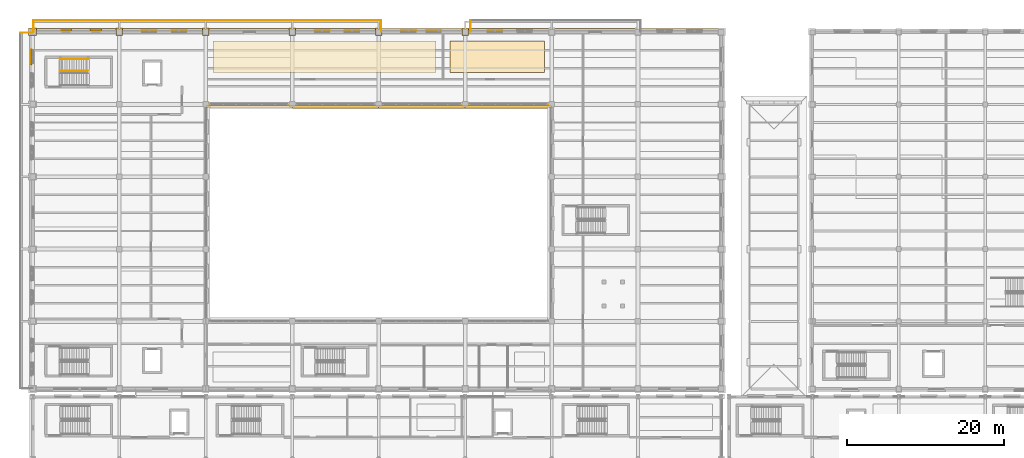
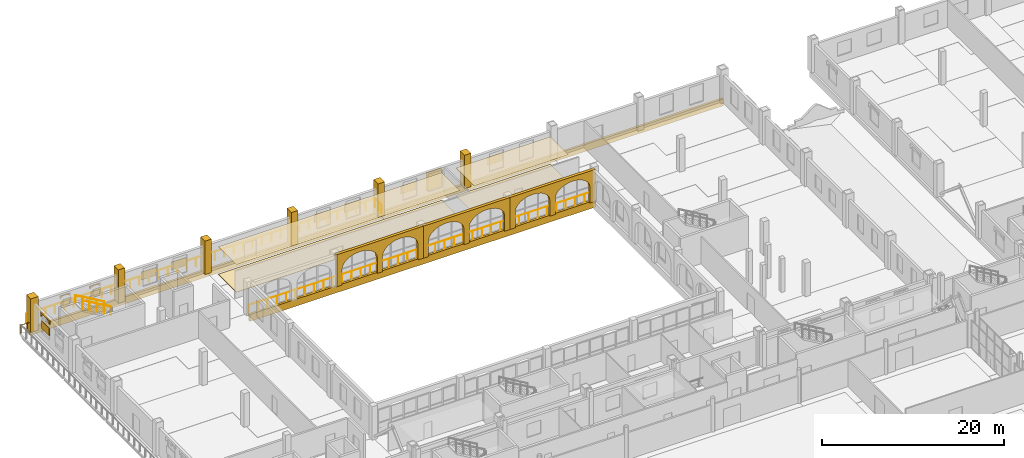
# One storey, part 141 of 156: 18 coverings, 10 shading devices, 8 railings.
"""IFC4 building model written with IfcOpenShell, lengths in metres."""

from ifc_helpers import new_model, si_unit, direction, frame, frame_2d, origin, origin_2d, place, context, subcontext, project, spatial, polyline, rectangle, circle, outline, extrude, material, layer, layer_set, type_object, element, save


model = new_model("IFC4")

# Units and contexts
model_context = context("Model", 3, precision=1e-05, world=origin(), true_north=direction((0.0, 1.0)))
body_context = subcontext(model_context, "Body", "Model", "MODEL_VIEW")
ifc_project = project(units=[si_unit("LENGTHUNIT", "METRE"), si_unit("AREAUNIT", "SQUARE_METRE"), si_unit("VOLUMEUNIT", "CUBIC_METRE"), si_unit("PLANEANGLEUNIT", "RADIAN"), si_unit("MASSUNIT", "GRAM", prefix="KILO")], contexts=[model_context])

# Site, building, storey
site_placement = place(None, origin())
site = spatial("IfcSite", under=ifc_project, at=site_placement, CompositionType="ELEMENT")
building_placement = place(site_placement, origin())
building = spatial("IfcBuilding", under=site, at=building_placement, Name="Caurita Quay Ferry Terminal", CompositionType="ELEMENT")
storey_placement = place(building_placement, frame((0.0, 0.0, 5.39990234375)))
storey = spatial("IfcBuildingStorey", under=building, at=storey_placement, Name="L01", CompositionType="ELEMENT", Elevation=5.39990234375)

# Coverings
ifc_material_1 = material(Name="Warm-white lime stucco masonry", Category="masonry")
ifc_layer_1 = layer(ifc_material_1, 0.360107421875, Name="Spanish Colonial semicircular lime-stucco portales arcade 360 mm")
ifc_layer_set_1 = layer_set([ifc_layer_1], Name="Warm-white lime stucco masonry")
covering_type_1 = type_object("IfcCoveringType", Name="COV-ARC-CLD", PredefinedType="CLADDING", material=ifc_layer_set_1)
for number, where, z_axis, x_axis, name in (
    (1, (44.0, 107.47998046875, 0.0), (0.0, 0.0, 1.0), (-1.0, 0.0, 0.0), "L01 Courtyard North Cloister Arcade 056"),
    (2, (55.0, 107.47998046875, 0.0), (0.0, 0.0, 1.0), (-1.0, 0.0, 0.0), "L01 Courtyard North Cloister Arcade 058"),
):
    element("IfcCovering", number, at=place(storey_placement, frame(where, z_axis=z_axis, x_axis=x_axis)), inside=storey, type_object=covering_type_1, Name=name, PredefinedType="CLADDING", context=body_context, shape_type="SweptSolid", body=[
        extrude(outline(polyline([(0.0, 0.0), (0.679931640625, 0.0), (0.679931640625, 2.14990234375), (0.75634765625, 2.55126953125), (0.980224609375, 2.925048828125), (1.336181640625, 3.24609375), (1.800048828125, 3.492431640625), (2.34033203125, 3.647216796875), (2.919921875, 3.699951171875), (3.499755859375, 3.647216796875), (4.0400390625, 3.492431640625), (4.50390625, 3.24609375), (4.85986328125, 2.925048828125), (5.083740234375, 2.55126953125), (5.159912109375, 2.14990234375), (5.159912109375, 0.0), (5.840087890625, 0.0), (5.840087890625, 2.14990234375), (5.916259765625, 2.55126953125), (6.14013671875, 2.925048828125), (6.49609375, 3.24609375), (6.9599609375, 3.492431640625), (7.500244140625, 3.647216796875), (8.080078125, 3.699951171875), (8.65966796875, 3.647216796875), (9.199951171875, 3.492431640625), (9.663818359375, 3.24609375), (10.019775390625, 2.925048828125), (10.24365234375, 2.55126953125), (10.320068359375, 2.14990234375), (10.320068359375, 0.0), (11.0, 0.0), (11.0, 4.300048828125), (0.0, 4.300048828125), (0.0, 0.0)])), frame((0.0, 0.18017578125, 0.0), z_axis=(0.0, -1.0, 0.0), x_axis=(1.0, 0.0, 0.0)), (0.0, 0.0, 1.0), 0.360107421875),
    ])
covering_1_placement = place(storey_placement, frame((65.85009765625, 107.47998046875, 0.0), z_axis=(0.0, 0.0, 1.0), x_axis=(-1.0, 0.0, 0.0)))
element("IfcCovering", 3, at=covering_1_placement, inside=storey, type_object=covering_type_1, Name="L01 Courtyard North Cloister Arcade 060", PredefinedType="CLADDING", context=body_context, shape_type="SweptSolid", body=[
    extrude(outline(polyline([(0.0, 0.0), (0.679931640625, 0.0), (0.679931640625, 2.14990234375), (0.755126953125, 2.55126953125), (0.97509765625, 2.925048828125), (1.3251953125, 3.24609375), (1.78125, 3.492431640625), (2.3125, 3.647216796875), (2.882568359375, 3.699951171875), (3.45263671875, 3.647216796875), (3.98388671875, 3.492431640625), (4.43994140625, 3.24609375), (4.7900390625, 2.925048828125), (5.010009765625, 2.55126953125), (5.0849609375, 2.14990234375), (5.0849609375, 0.0), (5.76513671875, 0.0), (5.76513671875, 2.14990234375), (5.840087890625, 2.55126953125), (6.06005859375, 2.925048828125), (6.41015625, 3.24609375), (6.8662109375, 3.492431640625), (7.3974609375, 3.647216796875), (7.967529296875, 3.699951171875), (8.53759765625, 3.647216796875), (9.06884765625, 3.492431640625), (9.52490234375, 3.24609375), (9.875, 2.925048828125), (10.094970703125, 2.55126953125), (10.170166015625, 2.14990234375), (10.170166015625, 0.0), (10.85009765625, 0.0), (10.85009765625, 4.300048828125), (0.0, 4.300048828125), (0.0, 0.0)])), frame((0.0, 0.18017578125, 0.0), z_axis=(0.0, -1.0, 0.0), x_axis=(1.0, 0.0, 0.0)), (0.0, 0.0, 1.0), 0.360107421875),
])
ifc_material_2 = material(Name="Acoustic mineral fibre tile", Category="finish")
ifc_layer_2 = layer(ifc_material_2, 0.02001953125, Name="Acoustic mineral-fibre suspended ceiling 20 mm")
ifc_layer_set_2 = layer_set([ifc_layer_2], Name="Acoustic mineral fibre tile")
covering_type_2 = type_object("IfcCoveringType", Name="COV-CEIL-020", PredefinedType="CEILING", material=ifc_layer_set_2)
covering_2_placement = place(storey_placement, frame((0.0, 0.0, 3.712158203125)))
element("IfcCovering", 4, at=covering_2_placement, inside=storey, type_object=covering_type_2, Name="Inter-Island Ferry Operator Retail Shop Acoustic Ceiling", PredefinedType="CEILING", context=body_context, shape_type="SweptSolid", body=[
    extrude(outline(polyline([(22.89990234375, 111.89990234375), (51.300048828125, 111.89990234375), (51.300048828125, 115.89990234375), (22.89990234375, 115.89990234375), (22.89990234375, 111.89990234375)])), origin(), (0.0, 0.0, 1.0), 0.02001953125),
])
covering_3_placement = place(storey_placement, frame((0.0, 0.0, 3.712158203125)))
element("IfcCovering", 5, at=covering_3_placement, inside=storey, type_object=covering_type_2, Name="Port Medical and First Aid Clinic Acoustic Ceiling", PredefinedType="CEILING", context=body_context, shape_type="SweptSolid", body=[
    extrude(outline(polyline([(53.10009765625, 111.89990234375), (65.10009765625, 111.89990234375), (65.10009765625, 115.89990234375), (53.10009765625, 115.89990234375), (53.10009765625, 111.89990234375)])), origin(), (0.0, 0.0, 1.0), 0.02001953125),
])
ifc_material_3 = material(Name="Coral stone ashlar cladding", Category="masonry")
ifc_layer_3 = layer(ifc_material_3, 0.239990234375, Name="Classical coral-stone entablature and cornice moulding 240 mm")
ifc_layer_set_3 = layer_set([ifc_layer_3], Name="Coral stone ashlar cladding")
covering_type_3 = type_object("IfcCoveringType", Name="COV-ENT-MLD", PredefinedType="MOLDING", material=ifc_layer_set_3)
covering_4_placement = place(storey_placement, frame((87.85009765625, 117.320068359375, -0.849853515625), z_axis=(0.0, 0.0, 1.0), x_axis=(-1.0, 0.0, 0.0)))
element("IfcCovering", 6, at=covering_4_placement, inside=storey, type_object=covering_type_3, Name="L01 Classical Entablature Cornice 001", PredefinedType="MOLDING", context=body_context, shape_type="SweptSolid", body=[
    extrude(rectangle(XDim=88.170166015625, YDim=0.280029296875, at=frame_2d((44.0849609375, 0.0))), origin(), (0.0, 0.0, 1.0), 0.929931640625),
])
covering_5_placement = place(storey_placement, frame((66.0, 107.52001953125, -0.849853515625), z_axis=(0.0, 0.0, 1.0), x_axis=(-1.0, 0.0, 0.0)))
element("IfcCovering", 7, at=covering_5_placement, inside=storey, type_object=covering_type_3, Name="L01 Classical Entablature Cornice 020", PredefinedType="MOLDING", context=body_context, shape_type="SweptSolid", body=[
    extrude(rectangle(XDim=44.0, YDim=0.280029296875, at=frame_2d((22.0, 0.0))), origin(), (0.0, 0.0, 1.0), 0.929931640625),
])
ifc_material_4 = material(Name="Polished marine terrazzo tile", Category="finish")
ifc_layer_4 = layer(ifc_material_4, 0.02490234375, Name="Polished marine terrazzo floor finish 25 mm")
ifc_layer_set_4 = layer_set([ifc_layer_4], Name="Polished marine terrazzo tile")
covering_type_4 = type_object("IfcCoveringType", Name="COV-FLR-025", PredefinedType="FLOORING", material=ifc_layer_set_4)
covering_6_placement = place(storey_placement, origin())
element("IfcCovering", 8, at=covering_6_placement, inside=storey, type_object=covering_type_4, Name="Inter-Island Ferry Operator Retail Shop Terrazzo Flooring", PredefinedType="FLOORING", context=body_context, shape_type="SweptSolid", body=[
    extrude(outline(polyline([(22.89990234375, 111.89990234375), (51.300048828125, 111.89990234375), (51.300048828125, 115.89990234375), (22.89990234375, 115.89990234375), (22.89990234375, 111.89990234375)])), origin(), (0.0, 0.0, 1.0), 0.025146484375),
])
covering_7_placement = place(storey_placement, origin())
element("IfcCovering", 9, at=covering_7_placement, inside=storey, type_object=covering_type_4, Name="Port Medical and First Aid Clinic Terrazzo Flooring", PredefinedType="FLOORING", context=body_context, shape_type="SweptSolid", body=[
    extrude(outline(polyline([(53.10009765625, 111.89990234375), (65.10009765625, 111.89990234375), (65.10009765625, 115.89990234375), (53.10009765625, 115.89990234375), (53.10009765625, 111.89990234375)])), origin(), (0.0, 0.0, 1.0), 0.025146484375),
])
ifc_layer_5 = layer(ifc_material_1, 0.179931640625, Name="Classical engaged lime-stucco facade pilaster cladding 180 mm")
ifc_layer_set_5 = layer_set([ifc_layer_5], Name="Warm-white lime stucco masonry")
covering_type_5 = type_object("IfcCoveringType", Name="COV-PIL-CLD", PredefinedType="CLADDING", material=ifc_layer_set_5)
covering_8_placement = place(storey_placement, frame((-0.050048828125, 117.050048828125, 0.0), z_axis=(0.0, 0.0, 1.0), x_axis=(1.0, 0.0, 0.0)))
element("IfcCovering", 10, at=covering_8_placement, inside=storey, type_object=covering_type_5, Name="L01 Classical Engaged Pilaster 0292", PredefinedType="CLADDING", context=body_context, shape_type="SweptSolid", body=[
    extrude(rectangle(XDim=0.97998046875, YDim=0.97998046875, at=origin_2d()), origin(), (0.0, 0.0, 1.0), 4.5),
])
for number, where, z_axis, x_axis, name in (
    (11, (11.0, 117.050048828125, 0.0), (0.0, 0.0, 1.0), (1.0, 0.0, 0.0), "L01 Classical Engaged Pilaster 0302"),
    (12, (22.0, 117.050048828125, 0.0), (0.0, 0.0, 1.0), (1.0, 0.0, 0.0), "L01 Classical Engaged Pilaster 0324"),
    (13, (33.0, 117.050048828125, 0.0), (0.0, 0.0, 1.0), (1.0, 0.0, 0.0), "L01 Classical Engaged Pilaster 0339"),
    (14, (44.0, 117.050048828125, 0.0), (0.0, 0.0, 1.0), (1.0, 0.0, 0.0), "L01 Classical Engaged Pilaster 0353"),
    (15, (55.0, 117.050048828125, 0.0), (0.0, 0.0, 1.0), (1.0, 0.0, 0.0), "L01 Classical Engaged Pilaster 0365"),
):
    element("IfcCovering", number, at=place(storey_placement, frame(where, z_axis=z_axis, x_axis=x_axis)), inside=storey, type_object=covering_type_5, Name=name, PredefinedType="CLADDING", context=body_context, shape_type="SweptSolid", body=[
        extrude(rectangle(XDim=0.820068359375, YDim=0.97998046875, at=origin_2d()), origin(), (0.0, 0.0, 1.0), 4.5),
    ])
ifc_layer_6 = layer(ifc_material_3, 0.139892578125, Name="Spanish Colonial semicircular arched window surround 140 mm")
ifc_layer_set_6 = layer_set([ifc_layer_6], Name="Coral stone ashlar cladding")
covering_type_6 = type_object("IfcCoveringType", Name="COV-WHD-MLD", PredefinedType="MOLDING", material=ifc_layer_set_6)
for number, where, z_axis, x_axis, name in (
    (16, (8.679931640625, 117.22998046875, 2.72998046875), (0.0, 0.0, 1.0), (-1.0, 0.0, 0.0), "L01 Arched Window Surround 009"),
    (17, (4.8798828125, 117.22998046875, 2.72998046875), (0.0, 0.0, 1.0), (-1.0, 0.0, 0.0), "L01 Arched Window Surround 010"),
):
    element("IfcCovering", number, at=place(storey_placement, frame(where, z_axis=z_axis, x_axis=x_axis)), inside=storey, type_object=covering_type_6, Name=name, PredefinedType="MOLDING", context=body_context, shape_type="SweptSolid", body=[
        extrude(outline(polyline([(0.0, 0.0), (0.159912109375, 0.0), (0.159912109375, 0.0400390625), (0.185546875, 0.101806640625), (0.25927734375, 0.157470703125), (0.374267578125, 0.201904296875), (0.519287109375, 0.230224609375), (0.679931640625, 0.239990234375), (0.840576171875, 0.230224609375), (0.985595703125, 0.201904296875), (1.1005859375, 0.157470703125), (1.17431640625, 0.101806640625), (1.199951171875, 0.0400390625), (1.199951171875, 0.0), (1.35986328125, 0.0), (1.35986328125, 0.320068359375), (0.0, 0.320068359375), (0.0, 0.0)])), frame((0.0, 0.06982421875, 0.0), z_axis=(0.0, -1.0, 0.0), x_axis=(1.0, 0.0, 0.0)), (0.0, 0.0, 1.0), 0.139892578125),
    ])
covering_9_placement = place(storey_placement, frame((-0.22998046875, 114.8798828125, 3.18017578125), z_axis=(0.0, 0.0, 1.0), x_axis=(0.0, -1.0, 0.0)))
element("IfcCovering", 18, at=covering_9_placement, inside=storey, type_object=covering_type_6, Name="L01 Arched Window Surround 038", PredefinedType="MOLDING", context=body_context, shape_type="SweptSolid", body=[
    extrude(outline(polyline([(0.0, 0.0), (0.159912109375, 0.0), (0.159912109375, 0.0400390625), (0.201416015625, 0.1650390625), (0.3212890625, 0.278076171875), (0.50830078125, 0.36767578125), (0.743896484375, 0.42529296875), (1.0048828125, 0.445068359375), (1.265869140625, 0.42529296875), (1.50146484375, 0.36767578125), (1.6884765625, 0.278076171875), (1.808349609375, 0.1650390625), (1.849853515625, 0.0400390625), (1.849853515625, 0.0), (2.009765625, 0.0), (2.009765625, 0.52490234375), (0.0, 0.52490234375), (0.0, 0.0)])), frame((0.0, 0.06982421875, 0.0), z_axis=(0.0, -1.0, 0.0), x_axis=(1.0, 0.0, 0.0)), (0.0, 0.0, 1.0), 0.139892578125),
])

# Railings
ifc_material_5 = material(Name="Bronze architectural metalwork", Category="metal")
railing_type_1 = type_object("IfcRailingType", Name="RL-HND-090", PredefinedType="HANDRAIL", material=ifc_material_5)
railing_1_placement = place(storey_placement, frame((7.050048828125, 113.610107421875, 2.423095703125)))
element("IfcRailing", 19, at=railing_1_placement, inside=storey, type_object=railing_type_1, Name="L01 ST-01 stair handrail 2", PredefinedType="HANDRAIL", context=body_context, shape_type="SweptSolid", body=[
    extrude(circle(Radius=0.02392578125, at=origin_2d()), frame((0.0, 0.0, 0.8759765625), z_axis=(-0.866193409371, 0.0, 0.499708892819), x_axis=(0.0, -1.0, 0.0)), (0.0, 0.0, 1.0), 4.15625),
    extrude(circle(Radius=0.02099609375, at=origin_2d()), origin(), (0.0, 0.0, 1.0), 0.851806640625),
    extrude(circle(Radius=0.02099609375, at=origin_2d()), frame((-0.89990234375, 0.0, 0.519287109375)), (0.0, 0.0, 1.0), 0.851806640625),
    extrude(circle(Radius=0.02099609375, at=origin_2d()), frame((-1.800048828125, 0.0, 1.03857421875)), (0.0, 0.0, 1.0), 0.851806640625),
    extrude(circle(Radius=0.02099609375, at=origin_2d()), frame((-2.7001953125, 0.0, 1.5576171875)), (0.0, 0.0, 1.0), 0.851806640625),
    extrude(circle(Radius=0.02099609375, at=origin_2d()), frame((-3.60009765625, 0.0, 2.076904296875)), (0.0, 0.0, 1.0), 0.851806640625),
])
railing_type_2 = type_object("IfcRailingType", Name="RL-REJA-115", PredefinedType="BALUSTRADE", material=ifc_material_5)
railing_2_placement = place(storey_placement, frame((65.89990234375, 107.75, 0.0)))
element("IfcRailing", 20, at=railing_2_placement, inside=storey, type_object=railing_type_2, Name="L01 Courtyard Cloister Guard (084)", PredefinedType="BALUSTRADE", context=body_context, shape_type="SweptSolid", body=[
    extrude(circle(Radius=0.02392578125, at=origin_2d()), frame((0.0, 0.0, 1.1259765625), z_axis=(-1.0, 0.0, 0.0), x_axis=(0.0, -1.0, 0.0)), (0.0, 0.0, 1.0), 43.7998046875),
    extrude(circle(Radius=0.02099609375, at=origin_2d()), origin(), (0.0, 0.0, 1.0), 1.101806640625),
    extrude(circle(Radius=0.02099609375, at=origin_2d()), frame((-1.183837890625, 0.0, 0.0)), (0.0, 0.0, 1.0), 1.101806640625),
    extrude(circle(Radius=0.02099609375, at=origin_2d()), frame((-2.36767578125, 0.0, 0.0)), (0.0, 0.0, 1.0), 1.101806640625),
    extrude(circle(Radius=0.02099609375, at=origin_2d()), frame((-3.55126953125, 0.0, 0.0)), (0.0, 0.0, 1.0), 1.101806640625),
    extrude(circle(Radius=0.02099609375, at=origin_2d()), frame((-4.735107421875, 0.0, 0.0)), (0.0, 0.0, 1.0), 1.101806640625),
    extrude(circle(Radius=0.02099609375, at=origin_2d()), frame((-5.9189453125, 0.0, 0.0)), (0.0, 0.0, 1.0), 1.101806640625),
    extrude(circle(Radius=0.02099609375, at=origin_2d()), frame((-7.102783203125, 0.0, 0.0)), (0.0, 0.0, 1.0), 1.101806640625),
    extrude(circle(Radius=0.02099609375, at=origin_2d()), frame((-8.286376953125, 0.0, 0.0)), (0.0, 0.0, 1.0), 1.101806640625),
    extrude(circle(Radius=0.02099609375, at=origin_2d()), frame((-9.47021484375, 0.0, 0.0)), (0.0, 0.0, 1.0), 1.101806640625),
    extrude(circle(Radius=0.02099609375, at=origin_2d()), frame((-10.654052734375, 0.0, 0.0)), (0.0, 0.0, 1.0), 1.101806640625),
    extrude(circle(Radius=0.02099609375, at=origin_2d()), frame((-11.837890625, 0.0, 0.0)), (0.0, 0.0, 1.0), 1.101806640625),
    extrude(circle(Radius=0.02099609375, at=origin_2d()), frame((-13.021484375, 0.0, 0.0)), (0.0, 0.0, 1.0), 1.101806640625),
    extrude(circle(Radius=0.02099609375, at=origin_2d()), frame((-14.205322265625, 0.0, 0.0)), (0.0, 0.0, 1.0), 1.101806640625),
    extrude(circle(Radius=0.02099609375, at=origin_2d()), frame((-15.38916015625, 0.0, 0.0)), (0.0, 0.0, 1.0), 1.101806640625),
    extrude(circle(Radius=0.02099609375, at=origin_2d()), frame((-16.572998046875, 0.0, 0.0)), (0.0, 0.0, 1.0), 1.101806640625),
    extrude(circle(Radius=0.02099609375, at=origin_2d()), frame((-17.756591796875, 0.0, 0.0)), (0.0, 0.0, 1.0), 1.101806640625),
    extrude(circle(Radius=0.02099609375, at=origin_2d()), frame((-18.9404296875, 0.0, 0.0)), (0.0, 0.0, 1.0), 1.101806640625),
    extrude(circle(Radius=0.02099609375, at=origin_2d()), frame((-20.124267578125, 0.0, 0.0)), (0.0, 0.0, 1.0), 1.101806640625),
    extrude(circle(Radius=0.02099609375, at=origin_2d()), frame((-21.30810546875, 0.0, 0.0)), (0.0, 0.0, 1.0), 1.101806640625),
    extrude(circle(Radius=0.02099609375, at=origin_2d()), frame((-22.49169921875, 0.0, 0.0)), (0.0, 0.0, 1.0), 1.101806640625),
    extrude(circle(Radius=0.02099609375, at=origin_2d()), frame((-23.675537109375, 0.0, 0.0)), (0.0, 0.0, 1.0), 1.101806640625),
    extrude(circle(Radius=0.02099609375, at=origin_2d()), frame((-24.859375, 0.0, 0.0)), (0.0, 0.0, 1.0), 1.101806640625),
    extrude(circle(Radius=0.02099609375, at=origin_2d()), frame((-26.043212890625, 0.0, 0.0)), (0.0, 0.0, 1.0), 1.101806640625),
    extrude(circle(Radius=0.02099609375, at=origin_2d()), frame((-27.226806640625, 0.0, 0.0)), (0.0, 0.0, 1.0), 1.101806640625),
    extrude(circle(Radius=0.02099609375, at=origin_2d()), frame((-28.41064453125, 0.0, 0.0)), (0.0, 0.0, 1.0), 1.101806640625),
    extrude(circle(Radius=0.02099609375, at=origin_2d()), frame((-29.594482421875, 0.0, 0.0)), (0.0, 0.0, 1.0), 1.101806640625),
    extrude(circle(Radius=0.02099609375, at=origin_2d()), frame((-30.7783203125, 0.0, 0.0)), (0.0, 0.0, 1.0), 1.101806640625),
    extrude(circle(Radius=0.02099609375, at=origin_2d()), frame((-31.9619140625, 0.0, 0.0)), (0.0, 0.0, 1.0), 1.101806640625),
    extrude(circle(Radius=0.02099609375, at=origin_2d()), frame((-33.145751953125, 0.0, 0.0)), (0.0, 0.0, 1.0), 1.101806640625),
    extrude(circle(Radius=0.02099609375, at=origin_2d()), frame((-34.32958984375, 0.0, 0.0)), (0.0, 0.0, 1.0), 1.101806640625),
    extrude(circle(Radius=0.02099609375, at=origin_2d()), frame((-35.513427734375, 0.0, 0.0)), (0.0, 0.0, 1.0), 1.101806640625),
    extrude(circle(Radius=0.02099609375, at=origin_2d()), frame((-36.697021484375, 0.0, 0.0)), (0.0, 0.0, 1.0), 1.101806640625),
    extrude(circle(Radius=0.02099609375, at=origin_2d()), frame((-37.880859375, 0.0, 0.0)), (0.0, 0.0, 1.0), 1.101806640625),
    extrude(circle(Radius=0.02099609375, at=origin_2d()), frame((-39.064697265625, 0.0, 0.0)), (0.0, 0.0, 1.0), 1.101806640625),
    extrude(circle(Radius=0.02099609375, at=origin_2d()), frame((-40.24853515625, 0.0, 0.0)), (0.0, 0.0, 1.0), 1.101806640625),
    extrude(circle(Radius=0.02099609375, at=origin_2d()), frame((-41.43212890625, 0.0, 0.0)), (0.0, 0.0, 1.0), 1.101806640625),
    extrude(circle(Radius=0.02099609375, at=origin_2d()), frame((-42.615966796875, 0.0, 0.0)), (0.0, 0.0, 1.0), 1.101806640625),
    extrude(circle(Radius=0.02099609375, at=origin_2d()), frame((-43.7998046875, 0.0, 0.0)), (0.0, 0.0, 1.0), 1.101806640625),
])
railing_3_placement = place(storey_placement, frame((0.050048828125, 117.050048828125, 0.0)))
element("IfcRailing", 21, at=railing_3_placement, inside=storey, type_object=railing_type_2, Name="L01 North Street West Portales Balcony Balustrade (113)", PredefinedType="BALUSTRADE", context=body_context, shape_type="SweptSolid", body=[
    extrude(circle(Radius=0.02392578125, at=origin_2d()), frame((0.0, 0.0, 1.1259765625), z_axis=(0.0, 1.0, 0.0), x_axis=(-1.0, 0.0, 0.0)), (0.0, 0.0, 1.0), 1.429931640625),
    extrude(circle(Radius=0.02099609375, at=origin_2d()), origin(), (0.0, 0.0, 1.0), 1.101806640625),
    extrude(circle(Radius=0.02099609375, at=origin_2d()), frame((0.0, 0.71484375, 0.0)), (0.0, 0.0, 1.0), 1.101806640625),
    extrude(circle(Radius=0.02099609375, at=origin_2d()), frame((0.0, 1.429931640625, 0.0)), (0.0, 0.0, 1.0), 1.101806640625),
])
railing_4_placement = place(storey_placement, frame((0.050048828125, 118.47998046875, 0.0)))
element("IfcRailing", 22, at=railing_4_placement, inside=storey, type_object=railing_type_2, Name="L01 North Street West Portales Balcony Balustrade (114)", PredefinedType="BALUSTRADE", context=body_context, shape_type="SweptSolid", body=[
    extrude(circle(Radius=0.02392578125, at=origin_2d()), frame((0.0, 0.0, 1.1259765625), z_axis=(1.0, 0.0, 0.0), x_axis=(0.0, 1.0, 0.0)), (0.0, 0.0, 1.0), 44.27001953125),
    extrude(circle(Radius=0.02099609375, at=origin_2d()), origin(), (0.0, 0.0, 1.0), 1.101806640625),
    extrude(circle(Radius=0.02099609375, at=origin_2d()), frame((1.196533203125, 0.0, 0.0)), (0.0, 0.0, 1.0), 1.101806640625),
    extrude(circle(Radius=0.02099609375, at=origin_2d()), frame((2.39306640625, 0.0, 0.0)), (0.0, 0.0, 1.0), 1.101806640625),
    extrude(circle(Radius=0.02099609375, at=origin_2d()), frame((3.58935546875, 0.0, 0.0)), (0.0, 0.0, 1.0), 1.101806640625),
    extrude(circle(Radius=0.02099609375, at=origin_2d()), frame((4.785888671875, 0.0, 0.0)), (0.0, 0.0, 1.0), 1.101806640625),
    extrude(circle(Radius=0.02099609375, at=origin_2d()), frame((5.982421875, 0.0, 0.0)), (0.0, 0.0, 1.0), 1.101806640625),
    extrude(circle(Radius=0.02099609375, at=origin_2d()), frame((7.178955078125, 0.0, 0.0)), (0.0, 0.0, 1.0), 1.101806640625),
    extrude(circle(Radius=0.02099609375, at=origin_2d()), frame((8.37548828125, 0.0, 0.0)), (0.0, 0.0, 1.0), 1.101806640625),
    extrude(circle(Radius=0.02099609375, at=origin_2d()), frame((9.57177734375, 0.0, 0.0)), (0.0, 0.0, 1.0), 1.101806640625),
    extrude(circle(Radius=0.02099609375, at=origin_2d()), frame((10.768310546875, 0.0, 0.0)), (0.0, 0.0, 1.0), 1.101806640625),
    extrude(circle(Radius=0.02099609375, at=origin_2d()), frame((11.96484375, 0.0, 0.0)), (0.0, 0.0, 1.0), 1.101806640625),
    extrude(circle(Radius=0.02099609375, at=origin_2d()), frame((13.161376953125, 0.0, 0.0)), (0.0, 0.0, 1.0), 1.101806640625),
    extrude(circle(Radius=0.02099609375, at=origin_2d()), frame((14.35791015625, 0.0, 0.0)), (0.0, 0.0, 1.0), 1.101806640625),
    extrude(circle(Radius=0.02099609375, at=origin_2d()), frame((15.554443359375, 0.0, 0.0)), (0.0, 0.0, 1.0), 1.101806640625),
    extrude(circle(Radius=0.02099609375, at=origin_2d()), frame((16.750732421875, 0.0, 0.0)), (0.0, 0.0, 1.0), 1.101806640625),
    extrude(circle(Radius=0.02099609375, at=origin_2d()), frame((17.947265625, 0.0, 0.0)), (0.0, 0.0, 1.0), 1.101806640625),
    extrude(circle(Radius=0.02099609375, at=origin_2d()), frame((19.143798828125, 0.0, 0.0)), (0.0, 0.0, 1.0), 1.101806640625),
    extrude(circle(Radius=0.02099609375, at=origin_2d()), frame((20.34033203125, 0.0, 0.0)), (0.0, 0.0, 1.0), 1.101806640625),
    extrude(circle(Radius=0.02099609375, at=origin_2d()), frame((21.536865234375, 0.0, 0.0)), (0.0, 0.0, 1.0), 1.101806640625),
    extrude(circle(Radius=0.02099609375, at=origin_2d()), frame((22.733154296875, 0.0, 0.0)), (0.0, 0.0, 1.0), 1.101806640625),
    extrude(circle(Radius=0.02099609375, at=origin_2d()), frame((23.9296875, 0.0, 0.0)), (0.0, 0.0, 1.0), 1.101806640625),
    extrude(circle(Radius=0.02099609375, at=origin_2d()), frame((25.126220703125, 0.0, 0.0)), (0.0, 0.0, 1.0), 1.101806640625),
    extrude(circle(Radius=0.02099609375, at=origin_2d()), frame((26.32275390625, 0.0, 0.0)), (0.0, 0.0, 1.0), 1.101806640625),
    extrude(circle(Radius=0.02099609375, at=origin_2d()), frame((27.519287109375, 0.0, 0.0)), (0.0, 0.0, 1.0), 1.101806640625),
    extrude(circle(Radius=0.02099609375, at=origin_2d()), frame((28.715576171875, 0.0, 0.0)), (0.0, 0.0, 1.0), 1.101806640625),
    extrude(circle(Radius=0.02099609375, at=origin_2d()), frame((29.912109375, 0.0, 0.0)), (0.0, 0.0, 1.0), 1.101806640625),
    extrude(circle(Radius=0.02099609375, at=origin_2d()), frame((31.108642578125, 0.0, 0.0)), (0.0, 0.0, 1.0), 1.101806640625),
    extrude(circle(Radius=0.02099609375, at=origin_2d()), frame((32.30517578125, 0.0, 0.0)), (0.0, 0.0, 1.0), 1.101806640625),
    extrude(circle(Radius=0.02099609375, at=origin_2d()), frame((33.501708984375, 0.0, 0.0)), (0.0, 0.0, 1.0), 1.101806640625),
    extrude(circle(Radius=0.02099609375, at=origin_2d()), frame((34.6982421875, 0.0, 0.0)), (0.0, 0.0, 1.0), 1.101806640625),
    extrude(circle(Radius=0.02099609375, at=origin_2d()), frame((35.89453125, 0.0, 0.0)), (0.0, 0.0, 1.0), 1.101806640625),
    extrude(circle(Radius=0.02099609375, at=origin_2d()), frame((37.091064453125, 0.0, 0.0)), (0.0, 0.0, 1.0), 1.101806640625),
    extrude(circle(Radius=0.02099609375, at=origin_2d()), frame((38.28759765625, 0.0, 0.0)), (0.0, 0.0, 1.0), 1.101806640625),
    extrude(circle(Radius=0.02099609375, at=origin_2d()), frame((39.484130859375, 0.0, 0.0)), (0.0, 0.0, 1.0), 1.101806640625),
    extrude(circle(Radius=0.02099609375, at=origin_2d()), frame((40.6806640625, 0.0, 0.0)), (0.0, 0.0, 1.0), 1.101806640625),
    extrude(circle(Radius=0.02099609375, at=origin_2d()), frame((41.876953125, 0.0, 0.0)), (0.0, 0.0, 1.0), 1.101806640625),
    extrude(circle(Radius=0.02099609375, at=origin_2d()), frame((43.073486328125, 0.0, 0.0)), (0.0, 0.0, 1.0), 1.101806640625),
    extrude(circle(Radius=0.02099609375, at=origin_2d()), frame((44.27001953125, 0.0, 0.0)), (0.0, 0.0, 1.0), 1.101806640625),
])
railing_5_placement = place(storey_placement, frame((44.320068359375, 118.47998046875, 0.0)))
element("IfcRailing", 23, at=railing_5_placement, inside=storey, type_object=railing_type_2, Name="L01 North Street West Portales Balcony Balustrade (115)", PredefinedType="BALUSTRADE", context=body_context, shape_type="SweptSolid", body=[
    extrude(circle(Radius=0.02392578125, at=origin_2d()), frame((0.0, 0.0, 1.1259765625), z_axis=(0.0, -1.0, 0.0), x_axis=(1.0, 0.0, 0.0)), (0.0, 0.0, 1.0), 1.429931640625),
    extrude(circle(Radius=0.02099609375, at=origin_2d()), origin(), (0.0, 0.0, 1.0), 1.101806640625),
    extrude(circle(Radius=0.02099609375, at=origin_2d()), frame((0.0, -0.71484375, 0.0)), (0.0, 0.0, 1.0), 1.101806640625),
    extrude(circle(Radius=0.02099609375, at=origin_2d()), frame((0.0, -1.429931640625, 0.0)), (0.0, 0.0, 1.0), 1.101806640625),
])
railing_6_placement = place(storey_placement, frame((55.679931640625, 117.050048828125, 0.0)))
element("IfcRailing", 24, at=railing_6_placement, inside=storey, type_object=railing_type_2, Name="L01 North Street East Portales Balcony Balustrade (116)", PredefinedType="BALUSTRADE", context=body_context, shape_type="SweptSolid", body=[
    extrude(circle(Radius=0.02392578125, at=origin_2d()), frame((0.0, 0.0, 1.1259765625), z_axis=(0.0, 1.0, 0.0), x_axis=(-1.0, 0.0, 0.0)), (0.0, 0.0, 1.0), 1.429931640625),
    extrude(circle(Radius=0.02099609375, at=origin_2d()), origin(), (0.0, 0.0, 1.0), 1.101806640625),
    extrude(circle(Radius=0.02099609375, at=origin_2d()), frame((0.0, 0.71484375, 0.0)), (0.0, 0.0, 1.0), 1.101806640625),
    extrude(circle(Radius=0.02099609375, at=origin_2d()), frame((0.0, 1.429931640625, 0.0)), (0.0, 0.0, 1.0), 1.101806640625),
])
railing_7_placement = place(storey_placement, frame((-1.580078125, 116.919921875, 0.0)))
element("IfcRailing", 25, at=railing_7_placement, inside=storey, type_object=railing_type_2, Name="L01 West Quay Portales Balcony Balustrade (121)", PredefinedType="BALUSTRADE", context=body_context, shape_type="SweptSolid", body=[
    extrude(circle(Radius=0.02392578125, at=origin_2d()), frame((0.0, 0.0, 1.1259765625), z_axis=(1.0, 0.0, 0.0), x_axis=(0.0, 1.0, 0.0)), (0.0, 0.0, 1.0), 1.530029296875),
    extrude(circle(Radius=0.02099609375, at=origin_2d()), origin(), (0.0, 0.0, 1.0), 1.101806640625),
    extrude(circle(Radius=0.02099609375, at=origin_2d()), frame((0.76513671875, 0.0, 0.0)), (0.0, 0.0, 1.0), 1.101806640625),
    extrude(circle(Radius=0.02099609375, at=origin_2d()), frame((1.530029296875, 0.0, 0.0)), (0.0, 0.0, 1.0), 1.101806640625),
])
railing_8_placement = place(storey_placement, frame((7.050048828125, 112.06005859375, 2.423095703125)))
element("IfcRailing", 26, at=railing_8_placement, inside=storey, type_object=railing_type_2, Name="L01 ST-01 stair guard 3", PredefinedType="BALUSTRADE", context=body_context, shape_type="SweptSolid", body=[
    extrude(circle(Radius=0.02392578125, at=origin_2d()), frame((0.0, 0.0, 1.1259765625), z_axis=(-0.866193409371, 0.0, 0.499708892819), x_axis=(0.0, -1.0, 0.0)), (0.0, 0.0, 1.0), 4.15625),
    extrude(circle(Radius=0.02099609375, at=origin_2d()), origin(), (0.0, 0.0, 1.0), 1.101806640625),
    extrude(circle(Radius=0.02099609375, at=origin_2d()), frame((-0.89990234375, 0.0, 0.519287109375)), (0.0, 0.0, 1.0), 1.101806640625),
    extrude(circle(Radius=0.02099609375, at=origin_2d()), frame((-1.800048828125, 0.0, 1.03857421875)), (0.0, 0.0, 1.0), 1.101806640625),
    extrude(circle(Radius=0.02099609375, at=origin_2d()), frame((-2.7001953125, 0.0, 1.5576171875)), (0.0, 0.0, 1.0), 1.101806640625),
    extrude(circle(Radius=0.02099609375, at=origin_2d()), frame((-3.60009765625, 0.0, 2.076904296875)), (0.0, 0.0, 1.0), 1.101806640625),
])

# Shading devices
shading_device_type_1 = type_object("IfcShadingDeviceType", Name="SHD-JAL-01", PredefinedType="JALOUSIE", material=ifc_material_5)
shading_device_1_placement = place(storey_placement, frame((8.0, 117.2080078125, 1.445068359375), z_axis=(0.0, 0.0, 1.0), x_axis=(-1.0, 0.0, 0.0)))
element("IfcShadingDevice", 27, at=shading_device_1_placement, inside=storey, type_object=shading_device_type_1, Name="L01 Tropical Window Sun-Breaker 001", PredefinedType="JALOUSIE", context=body_context, shape_type="SweptSolid", body=[
    extrude(rectangle(XDim=1.10009765625, YDim=0.080078125, at=origin_2d()), origin(), (0.0, 0.0, 1.0), 0.81005859375),
])
for number, where, z_axis, x_axis, name in (
    (28, (18.60009765625, 117.2080078125, 1.610107421875), (0.0, 0.0, 1.0), (-1.0, 0.0, 0.0), "L01 Tropical Window Sun-Breaker 003"),
    (29, (40.60009765625, 117.2080078125, 1.610107421875), (0.0, 0.0, 1.0), (-1.0, 0.0, 0.0), "L01 Tropical Window Sun-Breaker 005"),
):
    element("IfcShadingDevice", number, at=place(storey_placement, frame(where, z_axis=z_axis, x_axis=x_axis)), inside=storey, type_object=shading_device_type_1, Name=name, PredefinedType="JALOUSIE", context=body_context, shape_type="SweptSolid", body=[
        extrude(rectangle(XDim=1.89990234375, YDim=0.080078125, at=origin_2d()), origin(), (0.0, 0.0, 1.0), 1.080078125),
    ])
shading_device_2_placement = place(storey_placement, frame((51.02001953125, 117.2080078125, 0.91015625), z_axis=(0.0, 0.0, 1.0), x_axis=(-1.0, 0.0, 0.0)))
element("IfcShadingDevice", 30, at=shading_device_2_placement, inside=storey, type_object=shading_device_type_1, Name="L01 Tropical Window Sun-Breaker 007", PredefinedType="JALOUSIE", context=body_context, shape_type="SweptSolid", body=[
    extrude(rectangle(XDim=1.919921875, YDim=0.080078125, at=origin_2d()), origin(), (0.0, 0.0, 1.0), 2.47998046875),
])
shading_device_3_placement = place(storey_placement, frame((-0.2080078125, 113.875, 1.56884765625), z_axis=(0.0, 0.0, 1.0), x_axis=(0.0, -1.0, 0.0)))
element("IfcShadingDevice", 31, at=shading_device_3_placement, inside=storey, type_object=shading_device_type_1, Name="L01 Tropical Window Sun-Breaker 041", PredefinedType="JALOUSIE", context=body_context, shape_type="SweptSolid", body=[
    extrude(rectangle(XDim=1.75, YDim=0.080078125, at=origin_2d()), origin(), (0.0, 0.0, 1.0), 1.012451171875),
])
ifc_material_6 = material(Name="Tropical mahogany hardwood", Category="wood")
shading_device_type_2 = type_object("IfcShadingDeviceType", Name="SHD-SHT-01", PredefinedType="SHUTTER", material=ifc_material_6)
shading_device_4_placement = place(storey_placement, frame((4.199951171875, 117.197998046875, 1.445068359375), z_axis=(0.0, 0.0, 1.0), x_axis=(-1.0, 0.0, 0.0)))
element("IfcShadingDevice", 32, at=shading_device_4_placement, inside=storey, type_object=shading_device_type_2, Name="L01 Tropical Window Sun-Breaker 002", PredefinedType="SHUTTER", context=body_context, shape_type="SweptSolid", body=[
    extrude(rectangle(XDim=1.10009765625, YDim=0.06005859375, at=origin_2d()), origin(), (0.0, 0.0, 1.0), 0.81005859375),
])
for number, where, z_axis, x_axis, name in (
    (33, (14.800048828125, 117.197998046875, 1.610107421875), (0.0, 0.0, 1.0), (-1.0, 0.0, 0.0), "L01 Tropical Window Sun-Breaker 004"),
    (34, (36.800048828125, 117.197998046875, 1.610107421875), (0.0, 0.0, 1.0), (-1.0, 0.0, 0.0), "L01 Tropical Window Sun-Breaker 006"),
    (35, (47.800048828125, 117.197998046875, 1.610107421875), (0.0, 0.0, 1.0), (-1.0, 0.0, 0.0), "L01 Tropical Window Sun-Breaker 008"),
    (36, (58.800048828125, 117.197998046875, 1.610107421875), (0.0, 0.0, 1.0), (-1.0, 0.0, 0.0), "L01 Tropical Window Sun-Breaker 010"),
):
    element("IfcShadingDevice", number, at=place(storey_placement, frame(where, z_axis=z_axis, x_axis=x_axis)), inside=storey, type_object=shading_device_type_2, Name=name, PredefinedType="SHUTTER", context=body_context, shape_type="SweptSolid", body=[
        extrude(rectangle(XDim=1.89990234375, YDim=0.06005859375, at=origin_2d()), origin(), (0.0, 0.0, 1.0), 1.080078125),
    ])

save(model, "model.ifc")
